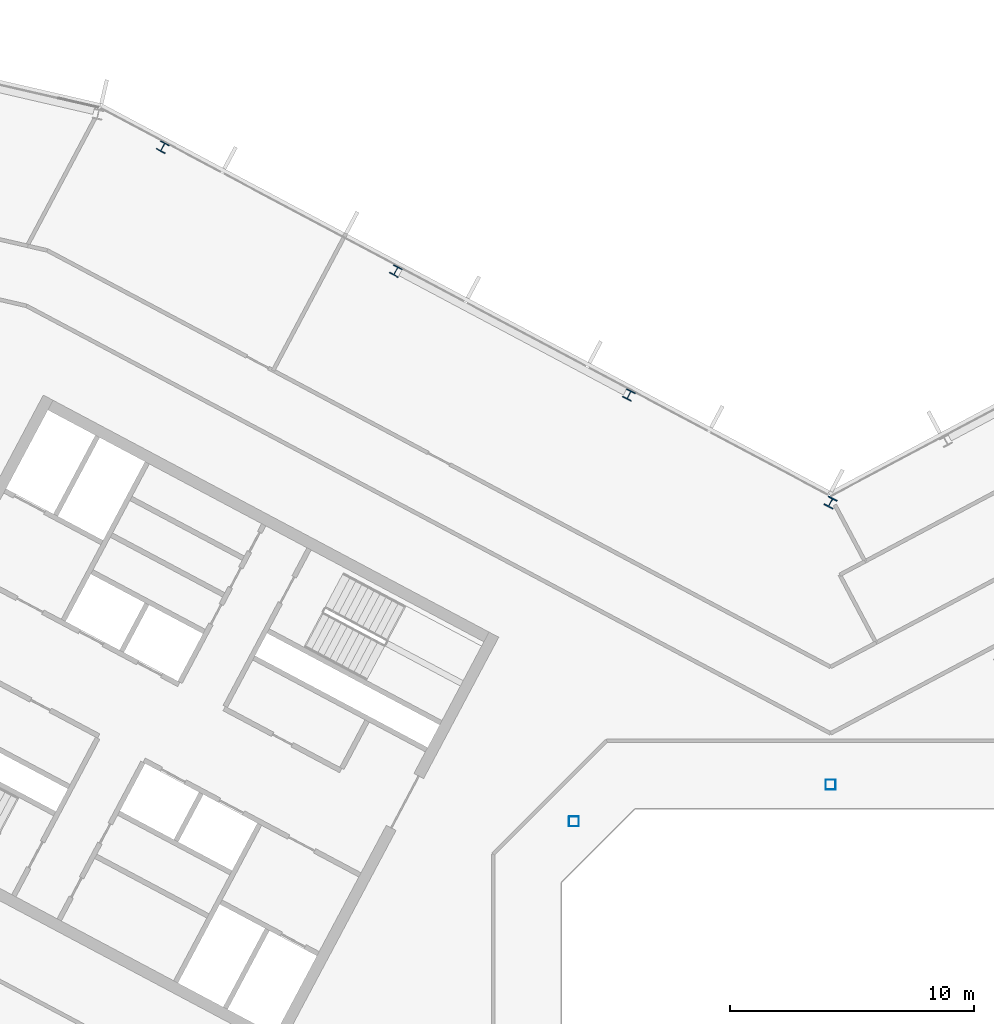
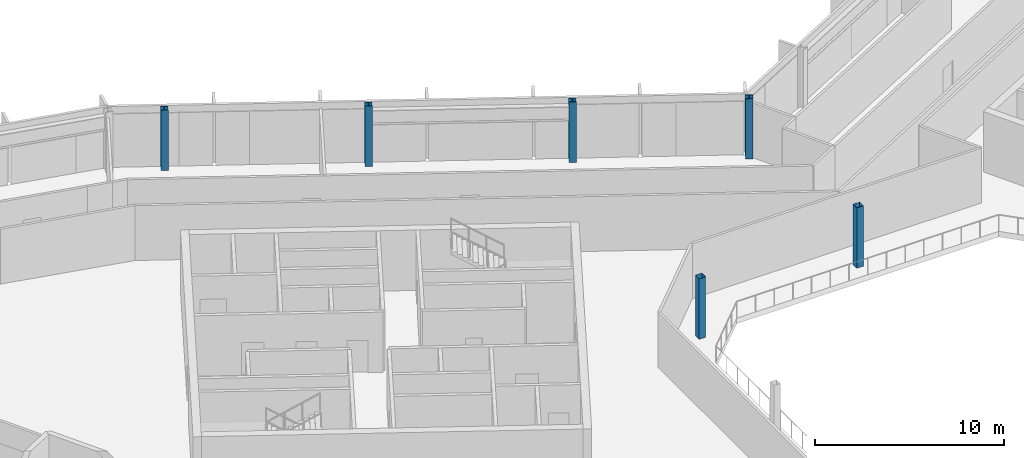
# One storey, part 4 of 25: 6 columns.
"""IFC4 building model written with IfcOpenShell, lengths in metres."""

from ifc_helpers import new_model, si_unit, direction, frame, origin, origin_2d, place, context, subcontext, project, spatial, hollow_rectangle, i_section, extrude, material, material_profile, profile_set, type_object, element, save


model = new_model("IFC4")

# Units and contexts
model_context = context("Model", 3, precision=1e-05, world=origin(), true_north=direction((0.0, 1.0)))
body_context = subcontext(model_context, "Body", "Model", "MODEL_VIEW")
ifc_project = project(units=[si_unit("LENGTHUNIT", "METRE"), si_unit("AREAUNIT", "SQUARE_METRE"), si_unit("VOLUMEUNIT", "CUBIC_METRE"), si_unit("PLANEANGLEUNIT", "RADIAN"), si_unit("MASSUNIT", "GRAM", prefix="KILO")], contexts=[model_context])

# Site, building, storey
site_placement = place(None, origin())
site = spatial("IfcSite", under=ifc_project, at=site_placement, CompositionType="ELEMENT")
building_placement = place(site_placement, origin())
building = spatial("IfcBuilding", under=site, at=building_placement, Name="Cormorant Relay Tower", CompositionType="ELEMENT")
storey_placement = place(building_placement, frame((0.0, 0.0, 289.199951171875)))
storey = spatial("IfcBuildingStorey", under=building, at=storey_placement, Name="L65", CompositionType="ELEMENT", Elevation=289.199951171875)

# Columns
ifc_material_1 = material(Name="Steel ASTM A500 Grade C (Fy 345 MPa)", Category="steel")
ifc_material_profile_1 = material_profile(ifc_material_1, hollow_rectangle(XDim=0.406494140625, YDim=0.406494140625, WallThickness=0.0087890625, InnerFilletRadius=0.00439453125, OuterFilletRadius=0.01318359375, at=origin_2d()), Name="HSS406x406x9")
ifc_profile_set_1 = profile_set([ifc_material_profile_1], Name="Steel ASTM A500 Grade C (Fy 345 MPa)")
column_type_1 = type_object("IfcColumnType", Name="Column HSS406x406x9", PredefinedType="COLUMN", material=ifc_profile_set_1)
for number, where, z_axis, x_axis, name in (
    (1, (-10.5, 10.5, 0.0), (0.0, 0.0, 1.0), (1.0, 0.0, 0.0), "Column L65-023"),
    (2, (0.0, 12.0, 0.0), (0.0, 0.0, 1.0), (1.0, 0.0, 0.0), "Column L65-025"),
):
    element("IfcColumn", number, at=place(storey_placement, frame(where, z_axis=z_axis, x_axis=x_axis)), inside=storey, type_object=column_type_1, Name=name, PredefinedType="COLUMN", context=body_context, shape_type="SweptSolid", body=[
        extrude(hollow_rectangle(XDim=0.406494140625, YDim=0.406494140625, WallThickness=0.0087890625, InnerFilletRadius=0.00439453125, OuterFilletRadius=0.01318359375, at=origin_2d()), origin(), (0.0, 0.0, 1.0), 3.900146484375),
    ])
ifc_material_2 = material(Name="Steel ASTM A992 (Fy 345 MPa)", Category="steel")
ifc_material_profile_2 = material_profile(ifc_material_2, i_section(OverallWidth=0.398681640625, OverallDepth=0.385986328125, WebThickness=0.02099609375, FlangeThickness=0.033203125, FilletRadius=0.01513671875, at=origin_2d()), Name="W360x262")
ifc_profile_set_2 = profile_set([ifc_material_profile_2], Name="Steel ASTM A992 (Fy 345 MPa)")
column_type_2 = type_object("IfcColumnType", Name="Column W360x262", PredefinedType="COLUMN", material=ifc_profile_set_2)
for number, where, z_axis, x_axis, name in (
    (3, (-8.2470703125, 27.943115234375, 0.0), (0.0, 0.0, 1.0), (-0.882947592859, 0.469471562786, 0.0), "Column L65-032"),
    (4, (-17.782958984375, 33.012939453125, 0.0), (0.0, 0.0, 1.0), (-0.882947592859, 0.469471562786, 0.0), "Column L65-036"),
    (5, (-27.319091796875, 38.0830078125, 0.0), (0.0, 0.0, 1.0), (-0.882947592859, 0.469471562786, 0.0), "Column L65-040"),
):
    element("IfcColumn", number, at=place(storey_placement, frame(where, z_axis=z_axis, x_axis=x_axis)), inside=storey, type_object=column_type_2, Name=name, PredefinedType="COLUMN", context=body_context, shape_type="SweptSolid", body=[
        extrude(i_section(OverallWidth=0.398681640625, OverallDepth=0.385986328125, WebThickness=0.02099609375, FlangeThickness=0.033203125, FilletRadius=0.01513671875, at=origin_2d()), origin(), (0.0, 0.0, 1.0), 3.900146484375),
    ])
ifc_material_3 = material(Name="Steel ASTM A992 (Fy 345 MPa)", Category="steel")
ifc_material_profile_3 = material_profile(ifc_material_3, i_section(OverallWidth=0.40380859375, OverallDepth=0.406494140625, WebThickness=0.027099609375, FlangeThickness=0.043701171875, FilletRadius=0.01513671875, at=origin_2d()), Name="W360x347")
ifc_profile_set_3 = profile_set([ifc_material_profile_3], Name="Steel ASTM A992 (Fy 345 MPa)")
column_type_3 = type_object("IfcColumnType", Name="Column W360x347", PredefinedType="COLUMN", material=ifc_profile_set_3)
column_placement = place(storey_placement, frame((0.0, 23.5439453125, 0.0), z_axis=(0.0, 0.0, 1.0), x_axis=(-0.882947592859, 0.469471562786, 0.0)))
element("IfcColumn", 6, at=column_placement, inside=storey, type_object=column_type_3, Name="Column L65-029", PredefinedType="COLUMN", context=body_context, shape_type="SweptSolid", body=[
    extrude(i_section(OverallWidth=0.40380859375, OverallDepth=0.406494140625, WebThickness=0.027099609375, FlangeThickness=0.043701171875, FilletRadius=0.01513671875, at=origin_2d()), origin(), (0.0, 0.0, 1.0), 3.900146484375),
])

save(model, "model.ifc")
